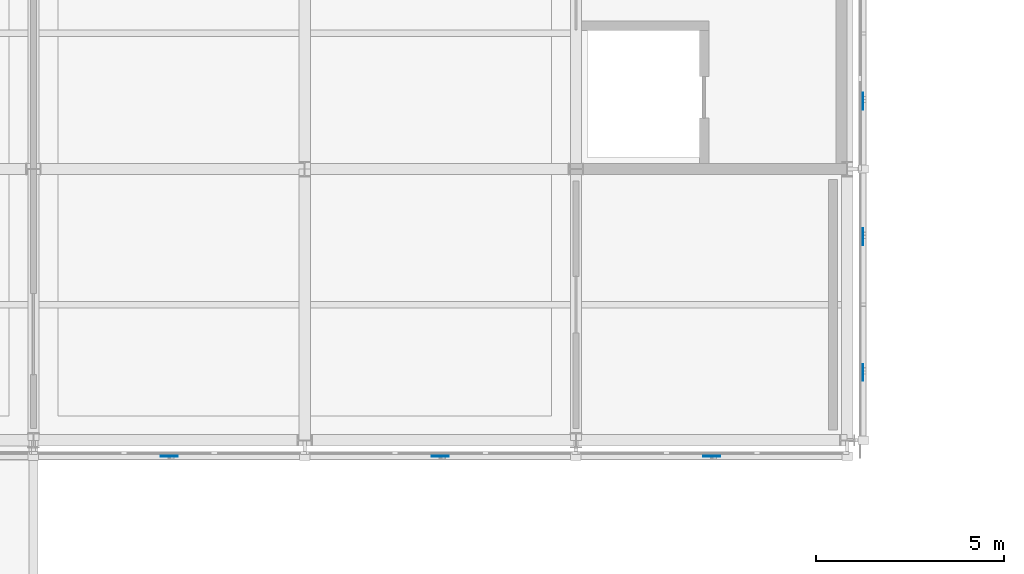
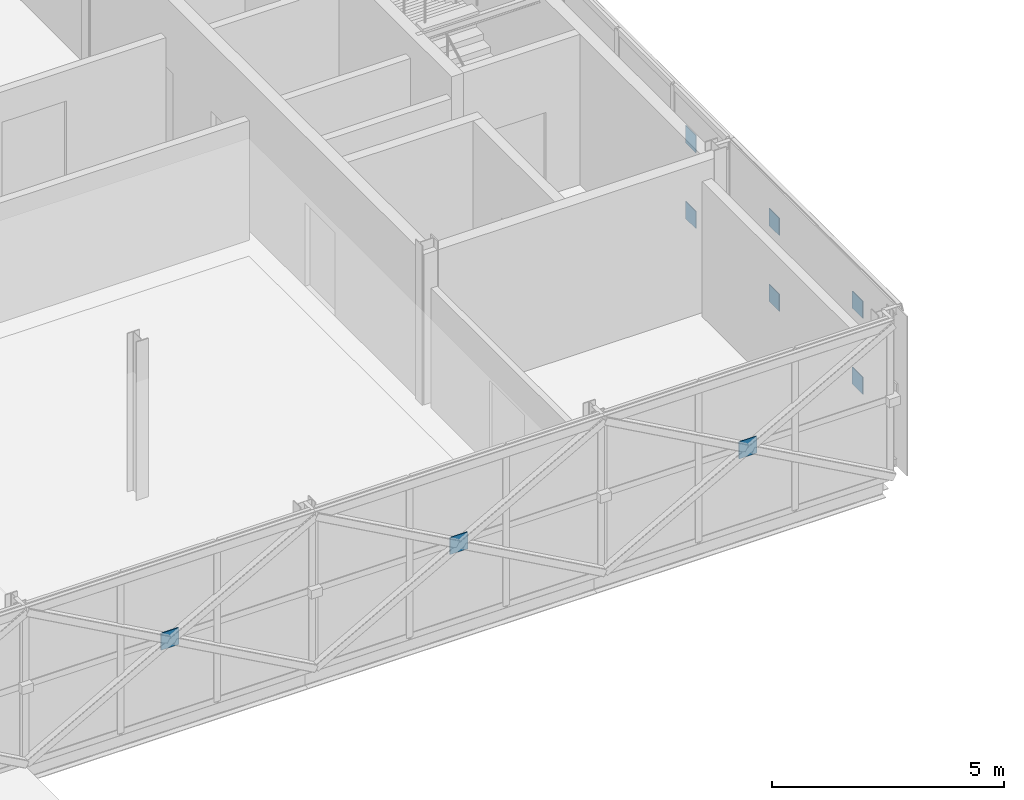
# One storey, part 94 of 126: 9 plates.
"""IFC4 building model written with IfcOpenShell, lengths in metres."""

from ifc_helpers import new_model, si_unit, direction, frame, origin, origin_2d, place, context, subcontext, project, spatial, rectangle, extrude, material, layer, layer_set, type_object, element, save


model = new_model("IFC4")

# Units and contexts
model_context = context("Model", 3, precision=1e-05, world=origin(), true_north=direction((0.0, 1.0)))
body_context = subcontext(model_context, "Body", "Model", "MODEL_VIEW")
ifc_project = project(units=[si_unit("LENGTHUNIT", "METRE"), si_unit("AREAUNIT", "SQUARE_METRE"), si_unit("VOLUMEUNIT", "CUBIC_METRE"), si_unit("PLANEANGLEUNIT", "RADIAN"), si_unit("MASSUNIT", "GRAM", prefix="KILO")], contexts=[model_context])

# Site, building, storey
site_placement = place(None, origin())
site = spatial("IfcSite", under=ifc_project, at=site_placement, CompositionType="ELEMENT")
building_placement = place(site_placement, origin())
building = spatial("IfcBuilding", under=site, at=building_placement, Name="Zlatovets Crest Museum", CompositionType="ELEMENT")
storey_placement = place(building_placement, frame((0.0, 0.0, 8.699951171875)))
storey = spatial("IfcBuildingStorey", under=building, at=storey_placement, Name="L02", CompositionType="ELEMENT", Elevation=8.699951171875)

# Plates
ifc_material = material(Name="Structural steel S355J2", Category="steel")
ifc_layer = layer(ifc_material, 0.02001953125)
ifc_layer_set = layer_set([ifc_layer], Name="Structural steel S355J2")
plate_type = type_object("IfcPlateType", Name="Gusset_GP-04", PredefinedType="USERDEFINED", material=ifc_layer_set)
for number, where, z_axis, x_axis, name in (
    (1, (90.0, 85.97998046875, 1.875), (0.0, 0.0, 1.0), (1.0, 0.0, 0.0), "X-Brace Crossing Node Gusset Plate GP-04"),
    (2, (97.199951171875, 85.97998046875, 1.875), (0.0, 0.0, 1.0), (1.0, 0.0, 0.0), "X-Brace Crossing Node Gusset Plate GP-04"),
    (3, (104.39990234375, 85.97998046875, 1.875), (0.0, 0.0, 1.0), (1.0, 0.0, 0.0), "X-Brace Crossing Node Gusset Plate GP-04"),
):
    element("IfcPlate", number, at=place(storey_placement, frame(where, z_axis=z_axis, x_axis=x_axis)), inside=storey, type_object=plate_type, Name=name, ObjectType="GUSSET", PredefinedType="USERDEFINED", context=body_context, shape_type="SweptSolid", body=[
        extrude(rectangle(XDim=0.449951171875, YDim=0.02001953125, at=origin_2d()), origin(), (0.0, 0.0, 1.0), 0.449951171875),
    ])
for number, where, z_axis, x_axis, name in (
    (4, (108.419921875, 88.199951171875, 0.875), (0.0, 0.0, 1.0), (1.0, 0.0, 0.0), "X-Brace Crossing Node Gusset Plate GP-04"),
    (5, (108.419921875, 91.800048828125, 0.875), (0.0, 0.0, 1.0), (1.0, 0.0, 0.0), "X-Brace Crossing Node Gusset Plate GP-04"),
    (6, (108.419921875, 88.199951171875, 2.875), (0.0, 0.0, 1.0), (1.0, 0.0, 0.0), "X-Brace Crossing Node Gusset Plate GP-04"),
    (7, (108.419921875, 91.800048828125, 2.875), (0.0, 0.0, 1.0), (1.0, 0.0, 0.0), "X-Brace Crossing Node Gusset Plate GP-04"),
    (8, (108.419921875, 95.39990234375, 0.875), (0.0, 0.0, 1.0), (1.0, 0.0, 0.0), "X-Brace Crossing Node Gusset Plate GP-04"),
    (9, (108.419921875, 95.39990234375, 2.875), (0.0, 0.0, 1.0), (1.0, 0.0, 0.0), "X-Brace Crossing Node Gusset Plate GP-04"),
):
    element("IfcPlate", number, at=place(storey_placement, frame(where, z_axis=z_axis, x_axis=x_axis)), inside=storey, type_object=plate_type, Name=name, ObjectType="GUSSET", PredefinedType="USERDEFINED", context=body_context, shape_type="SweptSolid", body=[
        extrude(rectangle(XDim=0.02001953125, YDim=0.449951171875, at=origin_2d()), origin(), (0.0, 0.0, 1.0), 0.449951171875),
    ])

save(model, "model.ifc")
